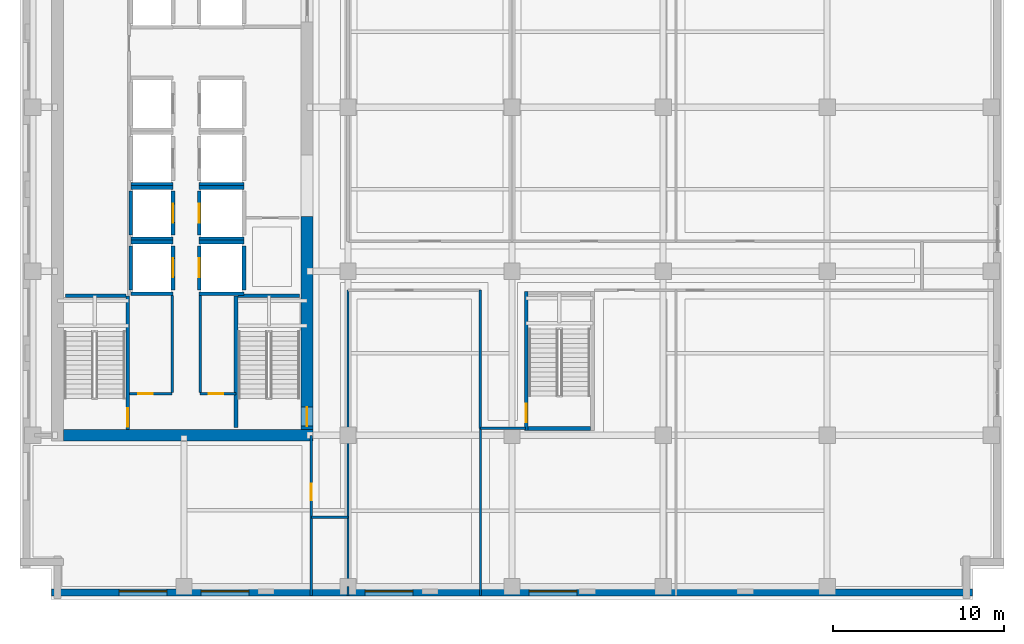
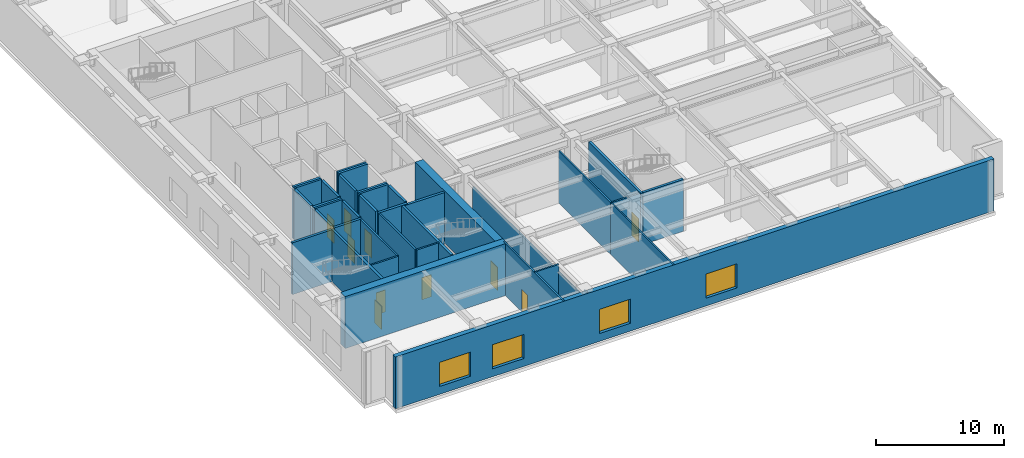
# One storey, part 4 of 18: 37 walls, 10 doors, 4 windows, 14 openings.
"""IFC4 building model written with IfcOpenShell, lengths in metres."""

from ifc_helpers import new_model, si_unit, direction, frame, frame_2d, origin, place, context, subcontext, project, spatial, rectangle, extrude, material, layer, layer_set, type_object, element, fill, save


model = new_model("IFC4")

# Units and contexts
model_context = context("Model", 3, precision=1e-05, world=origin(), true_north=direction((0.0, 1.0)))
body_context = subcontext(model_context, "Body", "Model", "MODEL_VIEW")
ifc_project = project(units=[si_unit("LENGTHUNIT", "METRE"), si_unit("AREAUNIT", "SQUARE_METRE"), si_unit("VOLUMEUNIT", "CUBIC_METRE"), si_unit("PLANEANGLEUNIT", "RADIAN"), si_unit("MASSUNIT", "GRAM", prefix="KILO")], contexts=[model_context])

# Site, building, storey
site_placement = place(None, origin())
site = spatial("IfcSite", under=ifc_project, at=site_placement, CompositionType="ELEMENT")
building_placement = place(site_placement, origin())
building = spatial("IfcBuilding", under=site, at=building_placement, Name="Norrvale University Quadrangle", CompositionType="ELEMENT")
storey_placement = place(building_placement, frame((0.0, 0.0, 150.800048828125)))
storey = spatial("IfcBuildingStorey", under=building, at=storey_placement, Name="L38", CompositionType="ELEMENT", Elevation=150.800048828125)

# Wall, openings, windows
ifc_material_1 = material(Name="Buff Norman Clay Brick Masonry", Category="masonry")
ifc_layer_1 = layer(ifc_material_1, 0.419921875, Name="Buff Norman Clay Brick Masonry")
ifc_layer_set_1 = layer_set([ifc_layer_1], Name="Buff Norman Clay Brick Masonry")
wall_type_1 = type_object("IfcWallType", Name="Wall Buff Brick 420", PredefinedType="SOLIDWALL", material=ifc_layer_set_1)
wall_1_placement = place(storey_placement, frame((1.840087890625, 0.389892578125, 0.0), z_axis=(0.0, 0.0, 1.0), x_axis=(1.0, 0.0, 0.0)))
wall_1 = element("IfcWall", 1, at=wall_1_placement, inside=storey, type_object=wall_type_1, Name="Exterior Brick Facade Wall L38-01.1", PredefinedType="SOLIDWALL", context=body_context, shape_type="SweptSolid", body=[
    extrude(rectangle(XDim=53.919921875, YDim=0.419921875, at=frame_2d((26.9599609375, 0.0))), origin(), (0.0, 0.0, 1.0), 4.93994140625),
])
opening_1_placement = place(wall_1_placement, frame((3.9599609375, 0.0, 0.75)))
opening_1 = element("IfcOpeningElement", 2, at=opening_1_placement, cuts=wall_1, Name="Opening W05", PredefinedType="OPENING", context=body_context, shape_type="SweptSolid", body=[
    extrude(rectangle(XDim=2.800048828125, YDim=2.300048828125, at=frame_2d((1.39990234375, 1.14990234375))), frame((0.0, 0.221923828125, 0.0), z_axis=(0.0, -1.0, 0.0), x_axis=(1.0, 0.0, 0.0)), (0.0, 0.0, 1.0), 0.44384765625),
])
opening_2_placement = place(wall_1_placement, frame((8.760009765625, 0.0, 0.75)))
opening_2 = element("IfcOpeningElement", 3, at=opening_2_placement, cuts=wall_1, Name="Opening W05", PredefinedType="OPENING", context=body_context, shape_type="SweptSolid", body=[
    extrude(rectangle(XDim=2.800048828125, YDim=2.300048828125, at=frame_2d((1.39990234375, 1.14990234375))), frame((0.0, 0.221923828125, 0.0), z_axis=(0.0, -1.0, 0.0), x_axis=(1.0, 0.0, 0.0)), (0.0, 0.0, 1.0), 0.44384765625),
])
opening_3_placement = place(wall_1_placement, frame((18.360107421875, 0.0, 0.75)))
opening_3 = element("IfcOpeningElement", 4, at=opening_3_placement, cuts=wall_1, Name="Opening W05", PredefinedType="OPENING", context=body_context, shape_type="SweptSolid", body=[
    extrude(rectangle(XDim=2.800048828125, YDim=2.300048828125, at=frame_2d((1.39990234375, 1.14990234375))), frame((0.0, 0.221923828125, 0.0), z_axis=(0.0, -1.0, 0.0), x_axis=(1.0, 0.0, 0.0)), (0.0, 0.0, 1.0), 0.44384765625),
])
opening_4_placement = place(wall_1_placement, frame((27.9599609375, 0.0, 0.75)))
opening_4 = element("IfcOpeningElement", 5, at=opening_4_placement, cuts=wall_1, Name="Opening W05", PredefinedType="OPENING", context=body_context, shape_type="SweptSolid", body=[
    extrude(rectangle(XDim=2.800048828125, YDim=2.300048828125, at=frame_2d((1.39990234375, 1.14990234375))), frame((0.0, 0.221923828125, 0.0), z_axis=(0.0, -1.0, 0.0), x_axis=(1.0, 0.0, 0.0)), (0.0, 0.0, 1.0), 0.44384765625),
])
ifc_material_2 = material(Name="Bird-Friendly Fritted Triple Glazing", Category="glass")
window_type = type_object("IfcWindowType", Name="Window Podium 2800x2800", PartitioningType="TRIPLE_PANEL_VERTICAL", PredefinedType="WINDOW", material=ifc_material_2)
window_1_placement = place(opening_1_placement, origin())
window_1 = element("IfcWindow", 6, at=window_1_placement, inside=storey, type_object=window_type, Name="Window Podium 2800x2800 WIN-L38-E01-1-01", OverallHeight=2.300048828125, OverallWidth=2.800048828125, PartitioningType="TRIPLE_PANEL_VERTICAL", PredefinedType="WINDOW", context=body_context, shape_type="SweptSolid", body=[
    extrude(rectangle(XDim=2.800048828125, YDim=2.300048828125, at=frame_2d((1.39990234375, 1.14990234375))), frame((0.0, 0.110107421875, 0.0), z_axis=(0.0, -1.0, 0.0), x_axis=(1.0, 0.0, 0.0)), (0.0, 0.0, 1.0), 0.06005859375),
])
fill(opening_1, window_1)
window_2_placement = place(opening_2_placement, origin())
window_2 = element("IfcWindow", 7, at=window_2_placement, inside=storey, type_object=window_type, Name="Window Podium 2800x2800 WIN-L38-E01-1-02", OverallHeight=2.300048828125, OverallWidth=2.800048828125, PartitioningType="TRIPLE_PANEL_VERTICAL", PredefinedType="WINDOW", context=body_context, shape_type="SweptSolid", body=[
    extrude(rectangle(XDim=2.800048828125, YDim=2.300048828125, at=frame_2d((1.39990234375, 1.14990234375))), frame((0.0, 0.110107421875, 0.0), z_axis=(0.0, -1.0, 0.0), x_axis=(1.0, 0.0, 0.0)), (0.0, 0.0, 1.0), 0.06005859375),
])
fill(opening_2, window_2)
window_3_placement = place(opening_3_placement, origin())
window_3 = element("IfcWindow", 8, at=window_3_placement, inside=storey, type_object=window_type, Name="Window Podium 2800x2800 WIN-L38-E01-1-03", OverallHeight=2.300048828125, OverallWidth=2.800048828125, PartitioningType="TRIPLE_PANEL_VERTICAL", PredefinedType="WINDOW", context=body_context, shape_type="SweptSolid", body=[
    extrude(rectangle(XDim=2.800048828125, YDim=2.300048828125, at=frame_2d((1.39990234375, 1.14990234375))), frame((0.0, 0.110107421875, 0.0), z_axis=(0.0, -1.0, 0.0), x_axis=(1.0, 0.0, 0.0)), (0.0, 0.0, 1.0), 0.06005859375),
])
fill(opening_3, window_3)
window_4_placement = place(opening_4_placement, origin())
window_4 = element("IfcWindow", 9, at=window_4_placement, inside=storey, type_object=window_type, Name="Window Podium 2800x2800 WIN-L38-E01-1-04", OverallHeight=2.300048828125, OverallWidth=2.800048828125, PartitioningType="TRIPLE_PANEL_VERTICAL", PredefinedType="WINDOW", context=body_context, shape_type="SweptSolid", body=[
    extrude(rectangle(XDim=2.800048828125, YDim=2.300048828125, at=frame_2d((1.39990234375, 1.14990234375))), frame((0.0, 0.110107421875, 0.0), z_axis=(0.0, -1.0, 0.0), x_axis=(1.0, 0.0, 0.0)), (0.0, 0.0, 1.0), 0.06005859375),
])
fill(opening_4, window_4)

# Wall
ifc_material_3 = material(Name="Concrete C60/75", Category="concrete")
ifc_layer_2 = layer(ifc_material_3, 0.699951171875, Name="Concrete C60/75")
ifc_layer_set_2 = layer_set([ifc_layer_2], Name="Concrete C60/75")
wall_type_2 = type_object("IfcWallType", Name="Wall Core 700", PredefinedType="SHEAR", material=ifc_layer_set_2)
wall_2_placement = place(storey_placement, frame((2.550048828125, 9.60009765625, 0.0), z_axis=(0.0, 0.0, 1.0), x_axis=(1.0, 0.0, 0.0)))
element("IfcWall", 10, at=wall_2_placement, inside=storey, type_object=wall_type_2, Name="Tower Core Shear Wall L38-S", PredefinedType="SHEAR", context=body_context, shape_type="SweptSolid", body=[
    extrude(rectangle(XDim=14.599853515625, YDim=0.699951171875, at=frame_2d((7.2998046875, 0.0))), origin(), (0.0, 0.0, 1.0), 4.93994140625),
])

# Wall, opening, door
wall_3_placement = place(storey_placement, frame((16.800048828125, 9.949951171875, 0.0), z_axis=(0.0, 0.0, 1.0), x_axis=(0.0, 1.0, 0.0)))
wall_3 = element("IfcWall", 11, at=wall_3_placement, inside=storey, type_object=wall_type_2, Name="Tower Core Shear Wall L38-E1", PredefinedType="SHEAR", context=body_context, shape_type="SweptSolid", body=[
    extrude(rectangle(XDim=12.449951171875, YDim=0.699951171875, at=frame_2d((6.22509765625, 0.0))), origin(), (0.0, 0.0, 1.0), 4.93994140625),
])
opening_5_placement = place(wall_3_placement, frame((0.18994140625, 0.0, 0.0)))
opening_5 = element("IfcOpeningElement", 12, at=opening_5_placement, cuts=wall_3, Name="Opening D02", PredefinedType="OPENING", context=body_context, shape_type="SweptSolid", body=[
    extrude(rectangle(XDim=1.10009765625, YDim=2.199951171875, at=frame_2d((0.550048828125, 1.10009765625))), frame((0.0, 0.362060546875, 0.0), z_axis=(0.0, -1.0, 0.0), x_axis=(1.0, 0.0, 0.0)), (0.0, 0.0, 1.0), 0.723876953125),
])
ifc_material_4 = material(Name="Hollow Steel 350W Fire Door", Category="steel")
door_type_1 = type_object("IfcDoorType", Name="Door Stair Exit 1100x2200", OperationType="NOTDEFINED", PredefinedType="DOOR", material=ifc_material_4)
door_1_placement = place(opening_5_placement, origin())
door_1 = element("IfcDoor", 13, at=door_1_placement, inside=storey, type_object=door_type_1, Name="Door Stair Exit 1100x2200 DR-L38-ST03", OperationType="SINGLE_SWING_LEFT", OverallHeight=2.199951171875, OverallWidth=1.10009765625, PredefinedType="DOOR", context=body_context, shape_type="SweptSolid", body=[
    extrude(rectangle(XDim=1.10009765625, YDim=2.199951171875, at=frame_2d((0.550048828125, 1.10009765625))), frame((0.0, 0.02490234375, 0.0), z_axis=(0.0, -1.0, 0.0), x_axis=(1.0, 0.0, 0.0)), (0.0, 0.0, 1.0), 0.050048828125),
])
fill(opening_5, door_1)

# Walls
ifc_material_5 = material(Name="Standard Academic Gypsum Partition")
ifc_layer_3 = layer(ifc_material_5, 0.125, Name="Standard Academic Gypsum Partition")
ifc_layer_set_3 = layer_set([ifc_layer_3], Name="Standard Academic Gypsum Partition")
wall_type_3 = type_object("IfcWallType", Name="Wall Gypsum Academic 125", PredefinedType="PARTITIONING", material=ifc_layer_set_3)
wall_4_placement = place(storey_placement, frame((19.199951171875, 0.219970703125, 0.0), z_axis=(0.0, 0.0, 1.0), x_axis=(0.0, 1.0, 0.0)))
element("IfcWall", 14, at=wall_4_placement, inside=storey, type_object=wall_type_3, Name="Interior Partition WL-L38-SE-W0", PredefinedType="PARTITIONING", context=body_context, shape_type="SweptSolid", body=[
    extrude(rectangle(XDim=0.530029296875, YDim=0.125, at=frame_2d((0.26513671875, 0.0))), origin(), (0.0, 0.0, 1.0), 4.93994140625),
])
wall_5_placement = place(storey_placement, frame((19.199951171875, 0.75, 0.0), z_axis=(0.0, 0.0, 1.0), x_axis=(0.0, 1.0, 0.0)))
element("IfcWall", 15, at=wall_5_placement, inside=storey, type_object=wall_type_3, Name="Interior Partition WL-L38-SE-W0-B2", PredefinedType="PARTITIONING", context=body_context, shape_type="SweptSolid", body=[
    extrude(rectangle(XDim=17.35009765625, YDim=0.125, at=frame_2d((8.675048828125, 0.0))), origin(), (0.0, 0.0, 1.0), 4.244873046875),
])
wall_6_placement = place(storey_placement, frame((26.949951171875, 0.219970703125, 0.0), z_axis=(0.0, 0.0, 1.0), x_axis=(0.0, 1.0, 0.0)))
element("IfcWall", 16, at=wall_6_placement, inside=storey, type_object=wall_type_3, Name="Interior Partition WL-L38-SEP1A", PredefinedType="PARTITIONING", context=body_context, shape_type="SweptSolid", body=[
    extrude(rectangle(XDim=9.780029296875, YDim=0.125, at=frame_2d((4.89013671875, 0.0))), origin(), (0.0, 0.0, 1.0), 4.93994140625),
])

# Wall, opening, door
ifc_material_6 = material(Name="Fire-Rated Gypsum Stud Partition")
ifc_layer_4 = layer(ifc_material_6, 0.14990234375, Name="Fire-Rated Gypsum Stud Partition")
ifc_layer_set_4 = layer_set([ifc_layer_4], Name="Fire-Rated Gypsum Stud Partition")
wall_type_4 = type_object("IfcWallType", Name="Wall Gypsum Corridor 150", PredefinedType="PARTITIONING", material=ifc_layer_set_4)
wall_7_placement = place(storey_placement, frame((6.419921875, 12.02001953125, 0.0), z_axis=(0.0, 0.0, 1.0), x_axis=(1.0, 0.0, 0.0)))
wall_7 = element("IfcWall", 17, at=wall_7_placement, inside=storey, type_object=wall_type_4, Name="Interior Partition WL-L38-SC-NL", PredefinedType="PARTITIONING", context=body_context, shape_type="SweptSolid", body=[
    extrude(rectangle(XDim=2.47998046875, YDim=0.14990234375, at=frame_2d((1.239990234375, 0.0))), origin(), (0.0, 0.0, 1.0), 4.93994140625),
])
opening_6_placement = place(wall_7_placement, frame((0.5, 0.0, 0.0)))
opening_6 = element("IfcOpeningElement", 18, at=opening_6_placement, cuts=wall_7, Name="Opening D10", PredefinedType="OPENING", context=body_context, shape_type="SweptSolid", body=[
    extrude(rectangle(XDim=0.85009765625, YDim=2.10009765625, at=frame_2d((0.425048828125, 1.050048828125))), frame((0.0, 0.0869140625, 0.0), z_axis=(0.0, -1.0, 0.0), x_axis=(1.0, 0.0, 0.0)), (0.0, 0.0, 1.0), 0.173828125),
])
ifc_material_7 = material(Name="Hollow Steel 350W Riser Fire Door", Category="steel")
door_type_2 = type_object("IfcDoorType", Name="Door Riser 850x2100", OperationType="NOTDEFINED", PredefinedType="DOOR", material=ifc_material_7)
door_2_placement = place(opening_6_placement, origin())
door_2 = element("IfcDoor", 19, at=door_2_placement, inside=storey, type_object=door_type_2, Name="Door Riser 850x2100 DR-L38-ELEC", OperationType="SINGLE_SWING_LEFT", OverallHeight=2.10009765625, OverallWidth=0.85009765625, PredefinedType="DOOR", context=body_context, shape_type="SweptSolid", body=[
    extrude(rectangle(XDim=0.85009765625, YDim=2.10009765625, at=frame_2d((0.425048828125, 1.050048828125))), frame((0.0, 0.02490234375, 0.0), z_axis=(0.0, -1.0, 0.0), x_axis=(1.0, 0.0, 0.0)), (0.0, 0.0, 1.0), 0.050048828125),
])
fill(opening_6, door_2)

wall_8_placement = place(storey_placement, frame((10.550048828125, 12.02001953125, 0.0), z_axis=(0.0, 0.0, 1.0), x_axis=(1.0, 0.0, 0.0)))
wall_8 = element("IfcWall", 20, at=wall_8_placement, inside=storey, type_object=wall_type_4, Name="Interior Partition WL-L38-SC-NR", PredefinedType="PARTITIONING", context=body_context, shape_type="SweptSolid", body=[
    extrude(rectangle(XDim=2.079833984375, YDim=0.14990234375, at=frame_2d((1.0400390625, 0.0))), origin(), (0.0, 0.0, 1.0), 4.93994140625),
])
opening_7_placement = place(wall_8_placement, frame((0.5, 0.0, 0.0)))
opening_7 = element("IfcOpeningElement", 21, at=opening_7_placement, cuts=wall_8, Name="Opening D10", PredefinedType="OPENING", context=body_context, shape_type="SweptSolid", body=[
    extrude(rectangle(XDim=0.85009765625, YDim=2.10009765625, at=frame_2d((0.425048828125, 1.050048828125))), frame((0.0, 0.0869140625, 0.0), z_axis=(0.0, -1.0, 0.0), x_axis=(1.0, 0.0, 0.0)), (0.0, 0.0, 1.0), 0.173828125),
])
door_3_placement = place(opening_7_placement, origin())
door_3 = element("IfcDoor", 22, at=door_3_placement, inside=storey, type_object=door_type_2, Name="Door Riser 850x2100 DR-L38-IDF", OperationType="SINGLE_SWING_RIGHT", OverallHeight=2.10009765625, OverallWidth=0.85009765625, PredefinedType="DOOR", context=body_context, shape_type="SweptSolid", body=[
    extrude(rectangle(XDim=0.85009765625, YDim=2.10009765625, at=frame_2d((0.425048828125, 1.050048828125))), frame((0.0, 0.02490234375, 0.0), z_axis=(0.0, -1.0, 0.0), x_axis=(1.0, 0.0, 0.0)), (0.0, 0.0, 1.0), 0.050048828125),
])
fill(opening_7, door_3)

# Walls
for number, where, z_axis, x_axis, name in (
    (23, (8.89990234375, 12.094970703125, 0.0), (0.0, 0.0, 1.0), (0.0, 1.0, 0.0), "Interior Partition WL-L38-SC-WL"),
    (24, (10.550048828125, 12.094970703125, 0.0), (0.0, 0.0, 1.0), (0.0, 1.0, 0.0), "Interior Partition WL-L38-SC-WR"),
):
    element("IfcWall", number, at=place(storey_placement, frame(where, z_axis=z_axis, x_axis=x_axis)), inside=storey, type_object=wall_type_4, Name=name, PredefinedType="PARTITIONING", context=body_context, shape_type="SweptSolid", body=[
        extrude(rectangle(XDim=5.679931640625, YDim=0.14990234375, at=frame_2d((2.83984375, 0.0))), origin(), (0.0, 0.0, 1.0), 4.93994140625),
    ])
wall_9_placement = place(storey_placement, frame((17.050048828125, 4.800048828125, 0.0), z_axis=(0.0, 0.0, 1.0), x_axis=(1.0, 0.0, 0.0)))
element("IfcWall", 25, at=wall_9_placement, inside=storey, type_object=wall_type_4, Name="Interior Partition WL-L38-CSP-S", PredefinedType="PARTITIONING", context=body_context, shape_type="SweptSolid", body=[
    extrude(rectangle(XDim=2.14990234375, YDim=0.14990234375, at=frame_2d((1.074951171875, 0.0))), origin(), (0.0, 0.0, 1.0), 4.93994140625),
])

# Wall, opening, door
wall_10_placement = place(storey_placement, frame((17.050048828125, 0.219970703125, 0.0), z_axis=(0.0, 0.0, 1.0), x_axis=(0.0, 1.0, 0.0)))
wall_10 = element("IfcWall", 26, at=wall_10_placement, inside=storey, type_object=wall_type_4, Name="Interior Partition WL-L38-SW-E", PredefinedType="PARTITIONING", context=body_context, shape_type="SweptSolid", body=[
    extrude(rectangle(XDim=9.380126953125, YDim=0.14990234375, at=frame_2d((4.68994140625, 0.0))), origin(), (0.0, 0.0, 1.0), 4.93994140625),
])
opening_8_placement = place(wall_10_placement, frame((5.580078125, 0.0, 0.0)))
opening_8 = element("IfcOpeningElement", 27, at=opening_8_placement, cuts=wall_10, Name="Opening D07", PredefinedType="OPENING", context=body_context, shape_type="SweptSolid", body=[
    extrude(rectangle(XDim=0.949951171875, YDim=2.14990234375, at=frame_2d((0.47509765625, 1.074951171875))), frame((0.0, 0.0869140625, 0.0), z_axis=(0.0, -1.0, 0.0), x_axis=(1.0, 0.0, 0.0)), (0.0, 0.0, 1.0), 0.173828125),
])
ifc_material_8 = material(Name="Solid-Core Maple Door", Category="wood")
door_type_3 = type_object("IfcDoorType", Name="Door Office 950x2150", OperationType="NOTDEFINED", PredefinedType="DOOR", material=ifc_material_8)
door_4_placement = place(opening_8_placement, origin())
door_4 = element("IfcDoor", 28, at=door_4_placement, inside=storey, type_object=door_type_3, Name="Door Office 950x2150 DR-L38-SW1", OperationType="SINGLE_SWING_LEFT", OverallHeight=2.14990234375, OverallWidth=0.949951171875, PredefinedType="DOOR", context=body_context, shape_type="SweptSolid", body=[
    extrude(rectangle(XDim=0.949951171875, YDim=2.14990234375, at=frame_2d((0.47509765625, 1.074951171875))), frame((0.0, 0.02490234375, 0.0), z_axis=(0.0, -1.0, 0.0), x_axis=(1.0, 0.0, 0.0)), (0.0, 0.0, 1.0), 0.050048828125),
])
fill(opening_8, door_4)

# Walls
wall_11_placement = place(storey_placement, frame((26.949951171875, 10.0, 0.0), z_axis=(0.0, 0.0, 1.0), x_axis=(0.0, 1.0, 0.0)))
element("IfcWall", 29, at=wall_11_placement, inside=storey, type_object=wall_type_4, Name="Interior Partition WL-L38-SEP1B", PredefinedType="PARTITIONING", context=body_context, shape_type="SweptSolid", body=[
    extrude(rectangle(XDim=8.10009765625, YDim=0.14990234375, at=frame_2d((4.050048828125, 0.0))), origin(), (0.0, 0.0, 1.0), 4.93994140625),
])
wall_12_placement = place(storey_placement, frame((26.949951171875, 10.0, 0.0), z_axis=(0.0, 0.0, 1.0), x_axis=(1.0, 0.0, 0.0)))
element("IfcWall", 30, at=wall_12_placement, inside=storey, type_object=wall_type_4, Name="Interior Partition WL-L38-SEP1C", PredefinedType="PARTITIONING", context=body_context, shape_type="SweptSolid", body=[
    extrude(rectangle(XDim=2.630126953125, YDim=0.14990234375, at=frame_2d((1.31494140625, 0.0))), origin(), (0.0, 0.0, 1.0), 4.93994140625),
])

# Wall, opening, door
ifc_material_9 = material(Name="Concrete Blockwork 20 MPa Fire Shaft", Category="masonry")
ifc_layer_5 = layer(ifc_material_9, 0.219970703125, Name="Concrete Blockwork 20 MPa Fire Shaft")
ifc_layer_set_5 = layer_set([ifc_layer_5], Name="Concrete Blockwork 20 MPa Fire Shaft")
wall_type_5 = type_object("IfcWallType", Name="Wall Shaft 220", PredefinedType="SOLIDWALL", material=ifc_layer_set_5)
wall_13_placement = place(storey_placement, frame((6.31005859375, 9.949951171875, 0.0), z_axis=(0.0, 0.0, 1.0), x_axis=(0.0, 1.0, 0.0)))
wall_13 = element("IfcWall", 31, at=wall_13_placement, inside=storey, type_object=wall_type_5, Name="Stair ST-01 East Shaft Wall L38", PredefinedType="SOLIDWALL", context=body_context, shape_type="SweptSolid", body=[
    extrude(rectangle(XDim=7.81005859375, YDim=0.219970703125, at=frame_2d((3.905029296875, 0.0))), origin(), (0.0, 0.0, 1.0), 4.93994140625),
])
opening_9_placement = place(wall_13_placement, frame((0.139892578125, 0.0, 0.0)))
opening_9 = element("IfcOpeningElement", 32, at=opening_9_placement, cuts=wall_13, Name="Opening D02", PredefinedType="OPENING", context=body_context, shape_type="SweptSolid", body=[
    extrude(rectangle(XDim=1.10009765625, YDim=2.199951171875, at=frame_2d((0.550048828125, 1.10009765625))), frame((0.0, 0.1220703125, 0.0), z_axis=(0.0, -1.0, 0.0), x_axis=(1.0, 0.0, 0.0)), (0.0, 0.0, 1.0), 0.243896484375),
])
door_5_placement = place(opening_9_placement, origin())
door_5 = element("IfcDoor", 33, at=door_5_placement, inside=storey, type_object=door_type_1, Name="Door Stair Exit 1100x2200 DR-L38-ST01", OperationType="SINGLE_SWING_LEFT", OverallHeight=2.199951171875, OverallWidth=1.10009765625, PredefinedType="DOOR", context=body_context, shape_type="SweptSolid", body=[
    extrude(rectangle(XDim=1.10009765625, YDim=2.199951171875, at=frame_2d((0.550048828125, 1.10009765625))), frame((0.0, 0.02490234375, 0.0), z_axis=(0.0, -1.0, 0.0), x_axis=(1.0, 0.0, 0.0)), (0.0, 0.0, 1.0), 0.050048828125),
])
fill(opening_9, door_5)

# Walls
wall_14_placement = place(storey_placement, frame((2.64990234375, 17.760009765625, 0.0), z_axis=(0.0, 0.0, 1.0), x_axis=(1.0, 0.0, 0.0)))
element("IfcWall", 34, at=wall_14_placement, inside=storey, type_object=wall_type_5, Name="Stair ST-01 North Shaft Wall L38", PredefinedType="SOLIDWALL", context=body_context, shape_type="SweptSolid", body=[
    extrude(rectangle(XDim=3.550048828125, YDim=0.219970703125, at=frame_2d((1.77490234375, 0.0))), origin(), (0.0, 0.0, 1.0), 4.93994140625),
])
wall_15_placement = place(storey_placement, frame((12.639892578125, 10.050048828125, 0.0), z_axis=(0.0, 0.0, 1.0), x_axis=(0.0, 1.0, 0.0)))
element("IfcWall", 35, at=wall_15_placement, inside=storey, type_object=wall_type_5, Name="Stair ST-03 West Shaft Wall L38", PredefinedType="SOLIDWALL", context=body_context, shape_type="SweptSolid", body=[
    extrude(rectangle(XDim=7.7099609375, YDim=0.219970703125, at=frame_2d((3.85498046875, 0.0))), origin(), (0.0, 0.0, 1.0), 4.93994140625),
])
wall_16_placement = place(storey_placement, frame((12.75, 17.760009765625, 0.0), z_axis=(0.0, 0.0, 1.0), x_axis=(1.0, 0.0, 0.0)))
element("IfcWall", 36, at=wall_16_placement, inside=storey, type_object=wall_type_5, Name="Stair ST-03 North Shaft Wall L38", PredefinedType="SOLIDWALL", context=body_context, shape_type="SweptSolid", body=[
    extrude(rectangle(XDim=3.60009765625, YDim=0.219970703125, at=frame_2d((1.800048828125, 0.0))), origin(), (0.0, 0.0, 1.0), 4.93994140625),
])
wall_17_placement = place(storey_placement, frame((29.75, 9.989990234375, 0.0), z_axis=(0.0, 0.0, 1.0), x_axis=(1.0, 0.0, 0.0)))
element("IfcWall", 37, at=wall_17_placement, inside=storey, type_object=wall_type_5, Name="Stair ST-04 South Shaft Wall L38", PredefinedType="SOLIDWALL", context=body_context, shape_type="SweptSolid", body=[
    extrude(rectangle(XDim=3.64990234375, YDim=0.219970703125, at=frame_2d((1.824951171875, 0.0))), origin(), (0.0, 0.0, 1.0), 4.93994140625),
])

# Wall, opening, door
wall_18_placement = place(storey_placement, frame((29.639892578125, 9.8798828125, 0.0), z_axis=(0.0, 0.0, 1.0), x_axis=(0.0, 1.0, 0.0)))
wall_18 = element("IfcWall", 38, at=wall_18_placement, inside=storey, type_object=wall_type_5, Name="Stair ST-04 West Shaft Wall L38", PredefinedType="SOLIDWALL", context=body_context, shape_type="SweptSolid", body=[
    extrude(rectangle(XDim=8.14013671875, YDim=0.219970703125, at=frame_2d((4.070068359375, 0.0))), origin(), (0.0, 0.0, 1.0), 4.93994140625),
])
opening_10_placement = place(wall_18_placement, frame((0.469970703125, 0.0, 0.0)))
opening_10 = element("IfcOpeningElement", 39, at=opening_10_placement, cuts=wall_18, Name="Opening D02", PredefinedType="OPENING", context=body_context, shape_type="SweptSolid", body=[
    extrude(rectangle(XDim=1.10009765625, YDim=2.199951171875, at=frame_2d((0.550048828125, 1.10009765625))), frame((0.0, 0.1220703125, 0.0), z_axis=(0.0, -1.0, 0.0), x_axis=(1.0, 0.0, 0.0)), (0.0, 0.0, 1.0), 0.243896484375),
])
door_6_placement = place(opening_10_placement, frame((1.10009765625, 0.0, 0.0), z_axis=(0.0, 0.0, 1.0), x_axis=(-1.0, 0.0, 0.0)))
door_6 = element("IfcDoor", 40, at=door_6_placement, inside=storey, type_object=door_type_1, Name="Door Stair Exit 1100x2200 DR-L38-ST04", OperationType="SINGLE_SWING_RIGHT", OverallHeight=2.199951171875, OverallWidth=1.10009765625, PredefinedType="DOOR", context=body_context, shape_type="SweptSolid", body=[
    extrude(rectangle(XDim=1.10009765625, YDim=2.199951171875, at=frame_2d((0.550048828125, 1.10009765625))), frame((0.0, 0.02490234375, 0.0), z_axis=(0.0, -1.0, 0.0), x_axis=(1.0, 0.0, 0.0)), (0.0, 0.0, 1.0), 0.050048828125),
])
fill(opening_10, door_6)

# Wall
wall_19_placement = place(storey_placement, frame((6.489990234375, 18.110107421875, 0.0), z_axis=(0.0, 0.0, 1.0), x_axis=(0.0, 1.0, 0.0)))
element("IfcWall", 41, at=wall_19_placement, inside=storey, type_object=wall_type_5, Name="Hoistway PL-01 West Wall L38", PredefinedType="SOLIDWALL", context=body_context, shape_type="SweptSolid", body=[
    extrude(rectangle(XDim=2.579833984375, YDim=0.219970703125, at=frame_2d((1.2900390625, 0.0))), origin(), (0.0, 0.0, 1.0), 4.93994140625),
])

# Wall, opening, door
wall_20_placement = place(storey_placement, frame((8.9599609375, 18.110107421875, 0.0), z_axis=(0.0, 0.0, 1.0), x_axis=(0.0, 1.0, 0.0)))
wall_20 = element("IfcWall", 42, at=wall_20_placement, inside=storey, type_object=wall_type_5, Name="Hoistway PL-01 East Wall L38", PredefinedType="SOLIDWALL", context=body_context, shape_type="SweptSolid", body=[
    extrude(rectangle(XDim=2.579833984375, YDim=0.219970703125, at=frame_2d((1.2900390625, 0.0))), origin(), (0.0, 0.0, 1.0), 4.93994140625),
])
opening_11_placement = place(wall_20_placement, frame((0.739990234375, 0.0, 0.0)))
opening_11 = element("IfcOpeningElement", 43, at=opening_11_placement, cuts=wall_20, Name="Opening LD1", PredefinedType="OPENING", context=body_context, shape_type="SweptSolid", body=[
    extrude(rectangle(XDim=1.10009765625, YDim=2.199951171875, at=frame_2d((0.550048828125, 1.10009765625))), frame((0.0, 0.1220703125, 0.0), z_axis=(0.0, -1.0, 0.0), x_axis=(1.0, 0.0, 0.0)), (0.0, 0.0, 1.0), 0.243896484375),
])
ifc_material_10 = material(Name="Stainless Steel 316L Lift Landing Door", Category="steel")
door_type_4 = type_object("IfcDoorType", Name="Door Lift Landing 1100x2200", OperationType="DOUBLE_DOOR_SLIDING", PredefinedType="DOOR", material=ifc_material_10)
door_7_placement = place(opening_11_placement, origin())
door_7 = element("IfcDoor", 44, at=door_7_placement, inside=storey, type_object=door_type_4, Name="Elevator Landing Door DR-L38-PL-01", OperationType="DOUBLE_DOOR_SLIDING", OverallHeight=2.199951171875, OverallWidth=1.10009765625, PredefinedType="DOOR", context=body_context, shape_type="SweptSolid", body=[
    extrude(rectangle(XDim=1.10009765625, YDim=2.199951171875, at=frame_2d((0.550048828125, 1.10009765625))), frame((0.0, 0.02490234375, 0.0), z_axis=(0.0, -1.0, 0.0), x_axis=(1.0, 0.0, 0.0)), (0.0, 0.0, 1.0), 0.050048828125),
])
fill(opening_11, door_7)

# Walls
for number, where, z_axis, x_axis, name in (
    (45, (6.489990234375, 17.889892578125, 0.0), (0.0, 0.0, 1.0), (1.0, 0.0, 0.0), "Hoistway PL-01 South Wall L38"),
    (46, (6.489990234375, 20.909912109375, 0.0), (0.0, 0.0, 1.0), (1.0, 0.0, 0.0), "Hoistway PL-01 North Wall L38"),
):
    element("IfcWall", number, at=place(storey_placement, frame(where, z_axis=z_axis, x_axis=x_axis)), inside=storey, type_object=wall_type_5, Name=name, PredefinedType="SOLIDWALL", context=body_context, shape_type="SweptSolid", body=[
        extrude(rectangle(XDim=2.469970703125, YDim=0.219970703125, at=frame_2d((1.23486328125, 0.0))), origin(), (0.0, 0.0, 1.0), 4.93994140625),
    ])
wall_21_placement = place(storey_placement, frame((6.489990234375, 21.31005859375, 0.0), z_axis=(0.0, 0.0, 1.0), x_axis=(0.0, 1.0, 0.0)))
element("IfcWall", 47, at=wall_21_placement, inside=storey, type_object=wall_type_5, Name="Hoistway PL-02 West Wall L38", PredefinedType="SOLIDWALL", context=body_context, shape_type="SweptSolid", body=[
    extrude(rectangle(XDim=2.579833984375, YDim=0.219970703125, at=frame_2d((1.2900390625, 0.0))), origin(), (0.0, 0.0, 1.0), 4.93994140625),
])

# Wall, opening, door
wall_22_placement = place(storey_placement, frame((8.9599609375, 21.31005859375, 0.0), z_axis=(0.0, 0.0, 1.0), x_axis=(0.0, 1.0, 0.0)))
wall_22 = element("IfcWall", 48, at=wall_22_placement, inside=storey, type_object=wall_type_5, Name="Hoistway PL-02 East Wall L38", PredefinedType="SOLIDWALL", context=body_context, shape_type="SweptSolid", body=[
    extrude(rectangle(XDim=2.579833984375, YDim=0.219970703125, at=frame_2d((1.2900390625, 0.0))), origin(), (0.0, 0.0, 1.0), 4.93994140625),
])
opening_12_placement = place(wall_22_placement, frame((0.739990234375, 0.0, 0.0)))
opening_12 = element("IfcOpeningElement", 49, at=opening_12_placement, cuts=wall_22, Name="Opening LD1", PredefinedType="OPENING", context=body_context, shape_type="SweptSolid", body=[
    extrude(rectangle(XDim=1.10009765625, YDim=2.199951171875, at=frame_2d((0.550048828125, 1.10009765625))), frame((0.0, 0.1220703125, 0.0), z_axis=(0.0, -1.0, 0.0), x_axis=(1.0, 0.0, 0.0)), (0.0, 0.0, 1.0), 0.243896484375),
])
door_8_placement = place(opening_12_placement, origin())
door_8 = element("IfcDoor", 50, at=door_8_placement, inside=storey, type_object=door_type_4, Name="Elevator Landing Door DR-L38-PL-02", OperationType="DOUBLE_DOOR_SLIDING", OverallHeight=2.199951171875, OverallWidth=1.10009765625, PredefinedType="DOOR", context=body_context, shape_type="SweptSolid", body=[
    extrude(rectangle(XDim=1.10009765625, YDim=2.199951171875, at=frame_2d((0.550048828125, 1.10009765625))), frame((0.0, 0.02490234375, 0.0), z_axis=(0.0, -1.0, 0.0), x_axis=(1.0, 0.0, 0.0)), (0.0, 0.0, 1.0), 0.050048828125),
])
fill(opening_12, door_8)

# Walls
for number, where, z_axis, x_axis, name in (
    (51, (6.489990234375, 21.090087890625, 0.0), (0.0, 0.0, 1.0), (1.0, 0.0, 0.0), "Hoistway PL-02 South Wall L38"),
    (52, (6.489990234375, 24.110107421875, 0.0), (0.0, 0.0, 1.0), (1.0, 0.0, 0.0), "Hoistway PL-02 North Wall L38"),
    (53, (6.489990234375, 24.2900390625, 0.0), (0.0, 0.0, 1.0), (1.0, 0.0, 0.0), "Hoistway PL-03 South Wall L38"),
):
    element("IfcWall", number, at=place(storey_placement, frame(where, z_axis=z_axis, x_axis=x_axis)), inside=storey, type_object=wall_type_5, Name=name, PredefinedType="SOLIDWALL", context=body_context, shape_type="SweptSolid", body=[
        extrude(rectangle(XDim=2.469970703125, YDim=0.219970703125, at=frame_2d((1.23486328125, 0.0))), origin(), (0.0, 0.0, 1.0), 4.93994140625),
    ])

# Wall, opening, door
wall_23_placement = place(storey_placement, frame((10.489990234375, 18.110107421875, 0.0), z_axis=(0.0, 0.0, 1.0), x_axis=(0.0, 1.0, 0.0)))
wall_23 = element("IfcWall", 54, at=wall_23_placement, inside=storey, type_object=wall_type_5, Name="Hoistway PL-05 West Wall L38", PredefinedType="SOLIDWALL", context=body_context, shape_type="SweptSolid", body=[
    extrude(rectangle(XDim=2.579833984375, YDim=0.219970703125, at=frame_2d((1.2900390625, 0.0))), origin(), (0.0, 0.0, 1.0), 4.93994140625),
])
opening_13_placement = place(wall_23_placement, frame((0.739990234375, 0.0, 0.0)))
opening_13 = element("IfcOpeningElement", 55, at=opening_13_placement, cuts=wall_23, Name="Opening LD1", PredefinedType="OPENING", context=body_context, shape_type="SweptSolid", body=[
    extrude(rectangle(XDim=1.10009765625, YDim=2.199951171875, at=frame_2d((0.550048828125, 1.10009765625))), frame((0.0, 0.1220703125, 0.0), z_axis=(0.0, -1.0, 0.0), x_axis=(1.0, 0.0, 0.0)), (0.0, 0.0, 1.0), 0.243896484375),
])
door_9_placement = place(opening_13_placement, origin())
door_9 = element("IfcDoor", 56, at=door_9_placement, inside=storey, type_object=door_type_4, Name="Elevator Landing Door DR-L38-PL-05", OperationType="DOUBLE_DOOR_SLIDING", OverallHeight=2.199951171875, OverallWidth=1.10009765625, PredefinedType="DOOR", context=body_context, shape_type="SweptSolid", body=[
    extrude(rectangle(XDim=1.10009765625, YDim=2.199951171875, at=frame_2d((0.550048828125, 1.10009765625))), frame((0.0, 0.02490234375, 0.0), z_axis=(0.0, -1.0, 0.0), x_axis=(1.0, 0.0, 0.0)), (0.0, 0.0, 1.0), 0.050048828125),
])
fill(opening_13, door_9)

# Walls
wall_24_placement = place(storey_placement, frame((13.110107421875, 18.110107421875, 0.0), z_axis=(0.0, 0.0, 1.0), x_axis=(0.0, 1.0, 0.0)))
element("IfcWall", 57, at=wall_24_placement, inside=storey, type_object=wall_type_5, Name="Hoistway PL-05 East Wall L38", PredefinedType="SOLIDWALL", context=body_context, shape_type="SweptSolid", body=[
    extrude(rectangle(XDim=2.579833984375, YDim=0.219970703125, at=frame_2d((1.2900390625, 0.0))), origin(), (0.0, 0.0, 1.0), 4.93994140625),
])
for number, where, z_axis, x_axis, name in (
    (58, (10.489990234375, 17.889892578125, 0.0), (0.0, 0.0, 1.0), (1.0, 0.0, 0.0), "Hoistway PL-05 South Wall L38"),
    (59, (10.489990234375, 20.909912109375, 0.0), (0.0, 0.0, 1.0), (1.0, 0.0, 0.0), "Hoistway PL-05 North Wall L38"),
):
    element("IfcWall", number, at=place(storey_placement, frame(where, z_axis=z_axis, x_axis=x_axis)), inside=storey, type_object=wall_type_5, Name=name, PredefinedType="SOLIDWALL", context=body_context, shape_type="SweptSolid", body=[
        extrude(rectangle(XDim=2.6201171875, YDim=0.219970703125, at=frame_2d((1.31005859375, 0.0))), origin(), (0.0, 0.0, 1.0), 4.93994140625),
    ])

# Wall, opening, door
wall_25_placement = place(storey_placement, frame((10.489990234375, 21.31005859375, 0.0), z_axis=(0.0, 0.0, 1.0), x_axis=(0.0, 1.0, 0.0)))
wall_25 = element("IfcWall", 60, at=wall_25_placement, inside=storey, type_object=wall_type_5, Name="Hoistway PL-06 West Wall L38", PredefinedType="SOLIDWALL", context=body_context, shape_type="SweptSolid", body=[
    extrude(rectangle(XDim=2.579833984375, YDim=0.219970703125, at=frame_2d((1.2900390625, 0.0))), origin(), (0.0, 0.0, 1.0), 4.93994140625),
])
opening_14_placement = place(wall_25_placement, frame((0.739990234375, 0.0, 0.0)))
opening_14 = element("IfcOpeningElement", 61, at=opening_14_placement, cuts=wall_25, Name="Opening LD1", PredefinedType="OPENING", context=body_context, shape_type="SweptSolid", body=[
    extrude(rectangle(XDim=1.10009765625, YDim=2.199951171875, at=frame_2d((0.550048828125, 1.10009765625))), frame((0.0, 0.1220703125, 0.0), z_axis=(0.0, -1.0, 0.0), x_axis=(1.0, 0.0, 0.0)), (0.0, 0.0, 1.0), 0.243896484375),
])
door_10_placement = place(opening_14_placement, origin())
door_10 = element("IfcDoor", 62, at=door_10_placement, inside=storey, type_object=door_type_4, Name="Elevator Landing Door DR-L38-PL-06", OperationType="DOUBLE_DOOR_SLIDING", OverallHeight=2.199951171875, OverallWidth=1.10009765625, PredefinedType="DOOR", context=body_context, shape_type="SweptSolid", body=[
    extrude(rectangle(XDim=1.10009765625, YDim=2.199951171875, at=frame_2d((0.550048828125, 1.10009765625))), frame((0.0, 0.02490234375, 0.0), z_axis=(0.0, -1.0, 0.0), x_axis=(1.0, 0.0, 0.0)), (0.0, 0.0, 1.0), 0.050048828125),
])
fill(opening_14, door_10)

# Walls
for number, where, z_axis, x_axis, name in (
    (63, (10.489990234375, 21.090087890625, 0.0), (0.0, 0.0, 1.0), (1.0, 0.0, 0.0), "Hoistway PL-06 South Wall L38"),
    (64, (10.489990234375, 24.110107421875, 0.0), (0.0, 0.0, 1.0), (1.0, 0.0, 0.0), "Hoistway PL-06 North Wall L38"),
    (65, (10.489990234375, 24.2900390625, 0.0), (0.0, 0.0, 1.0), (1.0, 0.0, 0.0), "Hoistway PL-07 South Wall L38"),
):
    element("IfcWall", number, at=place(storey_placement, frame(where, z_axis=z_axis, x_axis=x_axis)), inside=storey, type_object=wall_type_5, Name=name, PredefinedType="SOLIDWALL", context=body_context, shape_type="SweptSolid", body=[
        extrude(rectangle(XDim=2.6201171875, YDim=0.219970703125, at=frame_2d((1.31005859375, 0.0))), origin(), (0.0, 0.0, 1.0), 4.93994140625),
    ])

save(model, "model.ifc")
